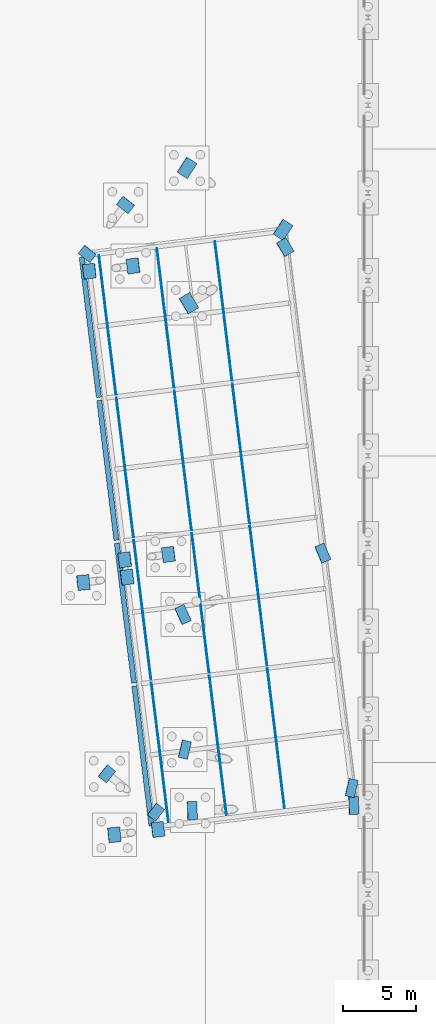
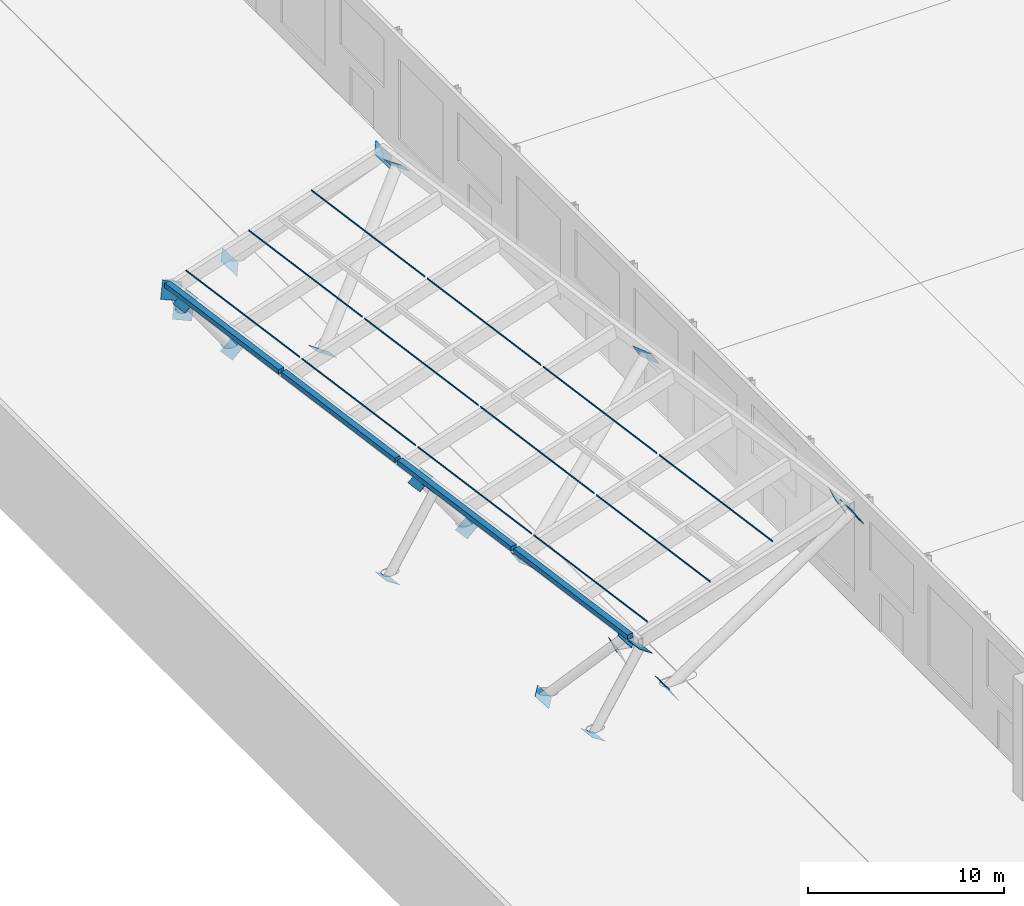
# One storey, part 198 of 239: 38 discrete accessories.
"""IFC4 building model written with IfcOpenShell, lengths in metres."""

from ifc_helpers import new_model, si_unit, direction, frame, origin, origin_2d, place, context, subcontext, project, spatial, polyline, rectangle, outline, extrude, material, layer, layer_set, type_object, element, save


model = new_model("IFC4")

# Units and contexts
model_context = context("Model", 3, precision=1e-05, world=origin(), true_north=direction((0.0, 1.0)))
body_context = subcontext(model_context, "Body", "Model", "MODEL_VIEW")
ifc_project = project(units=[si_unit("LENGTHUNIT", "METRE"), si_unit("AREAUNIT", "SQUARE_METRE"), si_unit("VOLUMEUNIT", "CUBIC_METRE"), si_unit("PLANEANGLEUNIT", "RADIAN"), si_unit("MASSUNIT", "GRAM", prefix="KILO")], contexts=[model_context])

# Site, building, storey
site_placement = place(None, origin())
site = spatial("IfcSite", under=ifc_project, at=site_placement, CompositionType="ELEMENT")
building_placement = place(site_placement, origin())
building = spatial("IfcBuilding", under=site, at=building_placement, Name="Okhra Congress Centre", CompositionType="ELEMENT")
storey_placement = place(building_placement, origin())
storey = spatial("IfcBuildingStorey", under=building, at=storey_placement, Name="L00", CompositionType="ELEMENT", Elevation=0.0)

# Discrete accessories
ifc_material_1 = material(Name="Steel S355J2", Category="steel")
ifc_layer = layer(ifc_material_1, 0.02001953125)
ifc_layer_set = layer_set([ifc_layer], Name="Brace end connection plate 20 mm S355")
discrete_accessory_type_1 = type_object("IfcDiscreteAccessoryType", Name="Brace end connection plate 20 mm S355", PredefinedType="BRACKET", material=ifc_layer_set)
discrete_accessory_1_placement = place(storey_placement, frame((11.7626953125, 148.057861328125, -0.39990234375), z_axis=(-0.573213357724, -0.060980144439, -0.817133935479), x_axis=(0.105786054594, -0.994388913179, 0.0)))
element("IfcDiscreteAccessory", 1, at=discrete_accessory_1_placement, inside=storey, type_object=discrete_accessory_type_1, Name="Brace end connection plate", PredefinedType="BRACKET", context=body_context, shape_type="SweptSolid", body=[
    extrude(rectangle(XDim=1.01611328125, YDim=1.01611328125, at=origin_2d()), origin(), (0.0, 0.0, 1.0), 0.02001953125),
])
discrete_accessory_2_placement = place(storey_placement, frame((14.740234375, 148.423583984375, 3.7900390625), z_axis=(0.580848244354, 0.072606030544, 0.810767341078), x_axis=(-0.124034734589, 0.992277876714, 0.0)))
element("IfcDiscreteAccessory", 2, at=discrete_accessory_2_placement, inside=storey, type_object=discrete_accessory_type_1, Name="Brace end connection plate", PredefinedType="BRACKET", context=body_context, shape_type="SweptSolid", body=[
    extrude(rectangle(XDim=1.01611328125, YDim=1.01611328125, at=origin_2d()), origin(), (0.0, 0.0, 1.0), 0.020263671875),
])
discrete_accessory_3_placement = place(storey_placement, frame((11.250732421875, 152.2265625, -0.39990234375), z_axis=(-0.558818960362, 0.437336577675, -0.704597819587), x_axis=(-0.616308261658, -0.787505001008, 0.0)))
element("IfcDiscreteAccessory", 3, at=discrete_accessory_3_placement, inside=storey, type_object=discrete_accessory_type_1, Name="Brace end connection plate", PredefinedType="BRACKET", context=body_context, shape_type="SweptSolid", body=[
    extrude(rectangle(XDim=1.01611328125, YDim=1.01611328125, at=origin_2d()), origin(), (0.0, 0.0, 1.0), 0.02001953125),
])
discrete_accessory_4_placement = place(storey_placement, frame((14.593994140625, 149.614501953125, 3.7900390625), z_axis=(0.566650301766, -0.431146968735, 0.702153634797), x_axis=(0.605521832483, 0.795828694121, 0.0)))
element("IfcDiscreteAccessory", 4, at=discrete_accessory_4_placement, inside=storey, type_object=discrete_accessory_type_1, Name="Brace end connection plate", PredefinedType="BRACKET", context=body_context, shape_type="SweptSolid", body=[
    extrude(rectangle(XDim=1.01611328125, YDim=1.01611328125, at=origin_2d()), origin(), (0.0, 0.0, 1.0), 0.019775390625),
])
for number, where, z_axis, x_axis, name in (
    (5, (9.64208984375, 165.328125, -0.39990234375), (-0.573213357724, -0.060980144439, -0.817133935479), (0.105786054594, -0.994388913179, 0.0), "Brace end connection plate"),
    (6, (12.619873046875, 165.69384765625, 3.7900390625), (0.572744993899, 0.0731163822, 0.816466267899), (-0.126631886758, 0.991949779604, 0.0), "Brace end connection plate"),
    (7, (15.451171875, 167.25048828125, -0.39990234375), (0.572744993899, 0.0731163822, -0.816466267899), (-0.126631886758, 0.991949779604, 0.0), "Brace end connection plate"),
):
    element("IfcDiscreteAccessory", number, at=place(storey_placement, frame(where, z_axis=z_axis, x_axis=x_axis)), inside=storey, type_object=discrete_accessory_type_1, Name=name, PredefinedType="BRACKET", context=body_context, shape_type="SweptSolid", body=[
        extrude(rectangle(XDim=1.01611328125, YDim=1.01611328125, at=origin_2d()), origin(), (0.0, 0.0, 1.0), 0.02001953125),
    ])
for number, where, z_axis, x_axis, name in (
    (8, (12.4736328125, 166.885009765625, 3.7900390625), (-0.580848244354, -0.072606030544, 0.810767341078), (0.124034734589, -0.992277876714, 0.0), "Brace end connection plate"),
    (9, (13.02587890625, 187.002197265625, -0.39990234375), (0.580848244354, 0.072606030544, -0.810767341078), (-0.124034734589, 0.992277876714, 0.0), "Brace end connection plate"),
):
    element("IfcDiscreteAccessory", number, at=place(storey_placement, frame(where, z_axis=z_axis, x_axis=x_axis)), inside=storey, type_object=discrete_accessory_type_1, Name=name, PredefinedType="BRACKET", context=body_context, shape_type="SweptSolid", body=[
        extrude(rectangle(XDim=1.01611328125, YDim=1.01611328125, at=origin_2d()), origin(), (0.0, 0.0, 1.0), 0.020263671875),
    ])
for number, where, z_axis, x_axis, name in (
    (10, (10.04833984375, 186.636474609375, 3.7900390625), (-0.573213357724, -0.060980144439, 0.817133935479), (0.105786054594, -0.994388913179, 0.0), "Brace end connection plate"),
    (11, (12.51416015625, 191.1708984375, -0.39990234375), (0.437336577675, 0.558818960362, -0.704597819587), (-0.787505001008, 0.616308261658, 0.0), "Brace end connection plate"),
    (12, (9.902099609375, 187.82763671875, 3.7900390625), (-0.44109565921, -0.563622231212, 0.698401460415), (0.787505001008, -0.616308261658, 0.0), "Brace end connection plate"),
):
    element("IfcDiscreteAccessory", number, at=place(storey_placement, frame(where, z_axis=z_axis, x_axis=x_axis)), inside=storey, type_object=discrete_accessory_type_1, Name=name, PredefinedType="BRACKET", context=body_context, shape_type="SweptSolid", body=[
        extrude(rectangle(XDim=1.01611328125, YDim=1.01611328125, at=origin_2d()), origin(), (0.0, 0.0, 1.0), 0.02001953125),
    ])
discrete_accessory_5_placement = place(storey_placement, frame((17.099853515625, 149.720703125, -0.39990234375), z_axis=(-0.846388958462, -0.02418254167, -0.532015916747), x_axis=(0.028559773899, -0.999592086461, 0.0)))
element("IfcDiscreteAccessory", 13, at=discrete_accessory_5_placement, inside=storey, type_object=discrete_accessory_type_1, Name="Brace end connection plate", PredefinedType="BRACKET", context=body_context, shape_type="SweptSolid", body=[
    extrude(rectangle(XDim=1.219970703125, YDim=1.219970703125, at=origin_2d()), origin(), (0.0, 0.0, 1.0), 0.020263671875),
])
for number, where, z_axis, x_axis, name in (
    (14, (28.1396484375, 150.06884765625, 6.53662109375), (0.842906264953, 0.024432065651, 0.537505444318), (-0.028973338687, 0.9995801847, 0.0), "Brace end connection plate"),
    (15, (16.587890625, 153.889404296875, -0.39990234375), (-0.83424593818, 0.196293161925, -0.515269550053), (-0.229039333726, -0.973417168334, 0.0), "Brace end connection plate"),
    (16, (27.993408203125, 151.259765625, 6.53662109375), (0.837919347852, -0.194300138632, 0.51003786391), (0.225890482018, 0.974152703704, 0.0), "Brace end connection plate"),
    (17, (16.459228515625, 163.142822265625, -0.39990234375), (-0.754975587422, -0.3409567169, -0.560143177765), (0.411586722426, -0.911370599659, 0.0), "Brace end connection plate"),
    (18, (26.01904296875, 167.339111328125, 6.53662109375), (0.768349819928, 0.329292779969, 0.548821299948), (-0.393919298579, 0.919145030018, 0.0), "Brace end connection plate"),
    (19, (16.865478515625, 184.451171875, -0.39990234375), (-0.630546263103, -0.375902579927, -0.679049821803), (0.512064542317, -0.858946974209, 0.0), "Brace end connection plate"),
):
    element("IfcDiscreteAccessory", number, at=place(storey_placement, frame(where, z_axis=z_axis, x_axis=x_axis)), inside=storey, type_object=discrete_accessory_type_1, Name=name, PredefinedType="BRACKET", context=body_context, shape_type="SweptSolid", body=[
        extrude(rectangle(XDim=1.219970703125, YDim=1.219970703125, at=origin_2d()), origin(), (0.0, 0.0, 1.0), 0.02001953125),
    ])
discrete_accessory_6_placement = place(storey_placement, frame((23.44775390625, 188.28173828125, 6.53662109375), z_axis=(0.635755732393, 0.37900822508, 0.672433947723), x_axis=(-0.512064542317, 0.858946974209, 0.0)))
element("IfcDiscreteAccessory", 20, at=discrete_accessory_6_placement, inside=storey, type_object=discrete_accessory_type_1, Name="Brace end connection plate", PredefinedType="BRACKET", context=body_context, shape_type="SweptSolid", body=[
    extrude(rectangle(XDim=1.097900390625, YDim=1.097900390625, at=origin_2d()), origin(), (0.0, 0.0, 1.0), 0.02001953125),
])
discrete_accessory_7_placement = place(storey_placement, frame((16.73681640625, 193.704345703125, -0.39990234375), z_axis=(-0.622367875257, 0.402708625166, -0.671181041944), x_axis=(-0.543251278157, -0.839570157152, 0.0)))
element("IfcDiscreteAccessory", 21, at=discrete_accessory_7_placement, inside=storey, type_object=discrete_accessory_type_1, Name="Brace end connection plate", PredefinedType="BRACKET", context=body_context, shape_type="SweptSolid", body=[
    extrude(rectangle(XDim=1.219970703125, YDim=1.219970703125, at=origin_2d()), origin(), (0.0, 0.0, 1.0), 0.02001953125),
])
discrete_accessory_8_placement = place(storey_placement, frame((23.301513671875, 189.472900390625, 6.53662109375), z_axis=(0.627481449947, -0.406017408789, 0.664392123473), x_axis=(0.543251278157, 0.839570157152, 0.0)))
element("IfcDiscreteAccessory", 22, at=discrete_accessory_8_placement, inside=storey, type_object=discrete_accessory_type_1, Name="Brace end connection plate", PredefinedType="BRACKET", context=body_context, shape_type="SweptSolid", body=[
    extrude(rectangle(XDim=1.219970703125, YDim=1.219970703125, at=origin_2d()), origin(), (0.0, 0.0, 1.0), 0.019775390625),
])
ifc_material_2 = material(Name="Stainless steel box gutter with self-regulating heating cable", Category="steel")
discrete_accessory_type_2 = type_object("IfcDiscreteAccessoryType", Name="Canopy heated gutter 350x300", PredefinedType="USERDEFINED", material=ifc_material_2)
for number, where, z_axis, x_axis, name in (
    (23, (13.713623046875, 153.4609375, 4.3017578125), (0.0, 0.0, 1.0), (-0.121869343405, 0.992546151641, 0.0), "West visor heated gutter"),
    (24, (12.513427734375, 163.237548828125, 4.3017578125), (0.0, 0.0, 1.0), (-0.121869343405, 0.992546151641, 0.0), "West visor heated gutter"),
    (25, (11.31298828125, 173.01416015625, 4.3017578125), (0.0, 0.0, 1.0), (-0.121869343405, 0.992546151641, 0.0), "West visor heated gutter"),
    (26, (10.112548828125, 182.790771484375, 4.3017578125), (0.0, 0.0, 1.0), (-0.121869343405, 0.992546151641, 0.0), "West visor heated gutter"),
):
    element("IfcDiscreteAccessory", number, at=place(storey_placement, frame(where, z_axis=z_axis, x_axis=x_axis)), inside=storey, type_object=discrete_accessory_type_2, Name=name, ObjectType="HEATED GUTTER", PredefinedType="USERDEFINED", context=body_context, shape_type="SweptSolid", body=[
        extrude(rectangle(XDim=9.64990234375, YDim=0.35009765625, at=origin_2d()), origin(), (0.0, 0.0, 1.0), 0.300048828125),
    ])
ifc_material_3 = material(Name="Stainless steel snow retention rail", Category="steel")
discrete_accessory_type_3 = type_object("IfcDiscreteAccessoryType", Name="Canopy snow guard rail 40x100", PredefinedType="USERDEFINED", material=ifc_material_3)
discrete_accessory_9_placement = place(storey_placement, frame((15.43603515625, 148.911865234375, 4.857177734375), z_axis=(-0.196110019921, -0.024078367297, 0.98028622979), x_axis=(-0.121876785511, 0.992545237834, -2.438103e-06)))
element("IfcDiscreteAccessory", 27, at=discrete_accessory_9_placement, inside=storey, type_object=discrete_accessory_type_3, Name="West visor snow guard rail", ObjectType="SNOW GUARD", PredefinedType="USERDEFINED", context=body_context, shape_type="SweptSolid", body=[
    extrude(outline(polyline([(0.0, 0.0), (9.625221107440094, 0.0), (9.62521742293351, -0.04089482285627948), (2.6070568002284864e-05, -0.0406572793088218), (0.0, 0.0)])), origin(), (0.0, 0.0, -1.0), 0.10009765625),
])
discrete_accessory_10_placement = place(storey_placement, frame((14.238525390625, 158.663818359375, 4.857177734375), z_axis=(-0.19610994532, -0.024078973481, 0.980286229824), x_axis=(-0.121855840802, 0.992547809456, 2.438171e-06)))
element("IfcDiscreteAccessory", 28, at=discrete_accessory_10_placement, inside=storey, type_object=discrete_accessory_type_3, Name="West visor snow guard rail", ObjectType="SNOW GUARD", PredefinedType="USERDEFINED", context=body_context, shape_type="SweptSolid", body=[
    extrude(outline(polyline([(0.0, 0.0), (9.624949033993577, 0.0), (9.624975984784303, -0.040657278734875874), (-2.7991704089792637e-06, -0.0408948229264677), (0.0, 0.0)])), origin(), (0.0, 0.0, -1.0), 0.10009765625),
])
discrete_accessory_11_placement = place(storey_placement, frame((13.041259765625, 168.41552734375, 4.857177734375), z_axis=(-0.195540042498, -0.02401149768, 0.980401723662), x_axis=(-0.121880341671, 0.992544801162, 0.0)))
element("IfcDiscreteAccessory", 29, at=discrete_accessory_11_placement, inside=storey, type_object=discrete_accessory_type_3, Name="West visor snow guard rail", ObjectType="SNOW GUARD", PredefinedType="USERDEFINED", context=body_context, shape_type="SweptSolid", body=[
    extrude(outline(polyline([(0.0, 0.0), (9.624978786915774, 0.0), (9.624974978402804, -0.04089482985174464), (-3.808512969056231e-06, -0.04089482985174458), (0.0, 0.0)])), origin(), (0.0, 0.0, -1.0), 0.10009765625),
])
discrete_accessory_12_placement = place(storey_placement, frame((11.84375, 178.167236328125, 4.857177734375), z_axis=(-0.195540646567, -0.024006574651, 0.980401723741), x_axis=(-0.121855353037, 0.992547869342, 0.0)))
element("IfcDiscreteAccessory", 30, at=discrete_accessory_12_placement, inside=storey, type_object=discrete_accessory_type_3, Name="West visor snow guard rail", ObjectType="SNOW GUARD", PredefinedType="USERDEFINED", context=body_context, shape_type="SweptSolid", body=[
    extrude(outline(polyline([(0.0, 0.0), (9.624949034023349, 0.0), (9.624946234912482, -0.04089482993329226), (-2.7991108673139987e-06, -0.04089482993329216), (0.0, 0.0)])), origin(), (0.0, 0.0, -1.0), 0.10009765625),
])
discrete_accessory_13_placement = place(storey_placement, frame((19.40625, 149.3994140625, 5.6708984375), z_axis=(-0.201810457791, -0.024778899679, 0.979111099547), x_axis=(-0.121879825139, 0.992544864587, -2.506028e-06)))
element("IfcDiscreteAccessory", 31, at=discrete_accessory_13_placement, inside=storey, type_object=discrete_accessory_type_3, Name="West visor snow guard rail", ObjectType="SNOW GUARD", PredefinedType="USERDEFINED", context=body_context, shape_type="SweptSolid", body=[
    extrude(outline(polyline([(0.0, 0.0), (9.624978786884247, 0.0), (9.62497497843433, -0.04094361992932618), (2.5947366768511074e-05, -0.04070636123020035), (0.0, 0.0)])), origin(), (0.0, 0.0, -1.0), 0.10009765625),
])
discrete_accessory_14_placement = place(storey_placement, frame((18.208740234375, 159.151123046875, 5.6708984375), z_axis=(-0.20188252312, -0.024787431347, 0.979096027009), x_axis=(-0.121852865593, 0.992548174719, 2.814621e-06)))
element("IfcDiscreteAccessory", 32, at=discrete_accessory_14_placement, inside=storey, type_object=discrete_accessory_type_3, Name="West visor snow guard rail", ObjectType="SNOW GUARD", PredefinedType="USERDEFINED", context=body_context, shape_type="SweptSolid", body=[
    extrude(outline(polyline([(0.0, 0.0), (9.625191355286718, 0.0), (9.624976107921169, -0.04067723499170612), (-2.6752685950070665e-06, -0.04094361808072219), (0.0, 0.0)])), origin(), (0.0, 0.0, -1.0), 0.10009765625),
])
discrete_accessory_15_placement = place(storey_placement, frame((17.011474609375, 168.903076171875, 5.6708984375), z_axis=(-0.201810457791, -0.024778899679, 0.979111099547), x_axis=(-0.121879825139, 0.992544864587, -2.506028e-06)))
element("IfcDiscreteAccessory", 33, at=discrete_accessory_15_placement, inside=storey, type_object=discrete_accessory_type_3, Name="West visor snow guard rail", ObjectType="SNOW GUARD", PredefinedType="USERDEFINED", context=body_context, shape_type="SweptSolid", body=[
    extrude(outline(polyline([(0.0, 0.0), (9.624978786884247, 0.0), (9.62497497843433, -0.04094361992932618), (2.5947366768511074e-05, -0.04070636123020035), (0.0, 0.0)])), origin(), (0.0, 0.0, -1.0), 0.10009765625),
])
discrete_accessory_16_placement = place(storey_placement, frame((15.81396484375, 178.65478515625, 5.6708984375), z_axis=(-0.201810457791, -0.024778899679, 0.979111099547), x_axis=(-0.121855869571, 0.992547805924, 2.506036e-06)))
element("IfcDiscreteAccessory", 34, at=discrete_accessory_16_placement, inside=storey, type_object=discrete_accessory_type_3, Name="West visor snow guard rail", ObjectType="SNOW GUARD", PredefinedType="USERDEFINED", context=body_context, shape_type="SweptSolid", body=[
    extrude(outline(polyline([(0.0, 0.0), (9.624949033991822, -2.220446049250313e-16), (9.62497598478606, -0.040706360578220434), (-2.799173920796029e-06, -0.04094362001076635), (0.0, 0.0)])), origin(), (0.0, 0.0, -1.0), 0.10009765625),
])
discrete_accessory_17_placement = place(storey_placement, frame((23.376220703125, 149.886962890625, 6.48486328125), z_axis=(-0.195540646567, -0.024006574651, 0.980401723741), x_axis=(-0.121855353037, 0.992547869342, 0.0)))
element("IfcDiscreteAccessory", 35, at=discrete_accessory_17_placement, inside=storey, type_object=discrete_accessory_type_3, Name="West visor snow guard rail", ObjectType="SNOW GUARD", PredefinedType="USERDEFINED", context=body_context, shape_type="SweptSolid", body=[
    extrude(outline(polyline([(0.0, 0.0), (9.624949034023349, 0.0), (9.624946234912482, -0.04089482993329226), (-2.7991108673139987e-06, -0.04089482993329216), (0.0, 0.0)])), origin(), (0.0, 0.0, -1.0), 0.10009765625),
])
discrete_accessory_18_placement = place(storey_placement, frame((22.178955078125, 159.638671875, 6.48486328125), z_axis=(-0.195540042498, -0.02401149768, 0.980401723662), x_axis=(-0.121880341671, 0.992544801162, 0.0)))
element("IfcDiscreteAccessory", 36, at=discrete_accessory_18_placement, inside=storey, type_object=discrete_accessory_type_3, Name="West visor snow guard rail", ObjectType="SNOW GUARD", PredefinedType="USERDEFINED", context=body_context, shape_type="SweptSolid", body=[
    extrude(outline(polyline([(0.0, 0.0), (9.624978786915774, 0.0), (9.624974978402804, -0.04089482985174464), (-3.808512969056231e-06, -0.04089482985174458), (0.0, 0.0)])), origin(), (0.0, 0.0, -1.0), 0.10009765625),
])
discrete_accessory_19_placement = place(storey_placement, frame((20.981689453125, 169.390380859375, 6.48486328125), z_axis=(-0.19610994532, -0.024078973481, 0.980286229824), x_axis=(-0.121879853908, 0.992544861054, -2.438163e-06)))
element("IfcDiscreteAccessory", 37, at=discrete_accessory_19_placement, inside=storey, type_object=discrete_accessory_type_3, Name="West visor snow guard rail", ObjectType="SNOW GUARD", PredefinedType="USERDEFINED", context=body_context, shape_type="SweptSolid", body=[
    extrude(outline(polyline([(0.0, 0.0), (9.624978786886002, 0.0), (9.624974978432576, -0.040894822844929596), (2.5947370280312055e-05, -0.04065727938763827), (0.0, 0.0)])), origin(), (0.0, 0.0, -1.0), 0.10009765625),
])
discrete_accessory_20_placement = place(storey_placement, frame((19.7841796875, 179.142333984375, 6.48486328125), z_axis=(-0.19610994532, -0.024078973481, 0.980286229824), x_axis=(-0.121855840802, 0.992547809456, 2.438171e-06)))
element("IfcDiscreteAccessory", 38, at=discrete_accessory_20_placement, inside=storey, type_object=discrete_accessory_type_3, Name="West visor snow guard rail", ObjectType="SNOW GUARD", PredefinedType="USERDEFINED", context=body_context, shape_type="SweptSolid", body=[
    extrude(outline(polyline([(0.0, 0.0), (9.624949033993577, 0.0), (9.624975984784303, -0.040657278734875874), (-2.7991704089792637e-06, -0.0408948229264677), (0.0, 0.0)])), origin(), (0.0, 0.0, -1.0), 0.10009765625),
])

save(model, "model.ifc")
